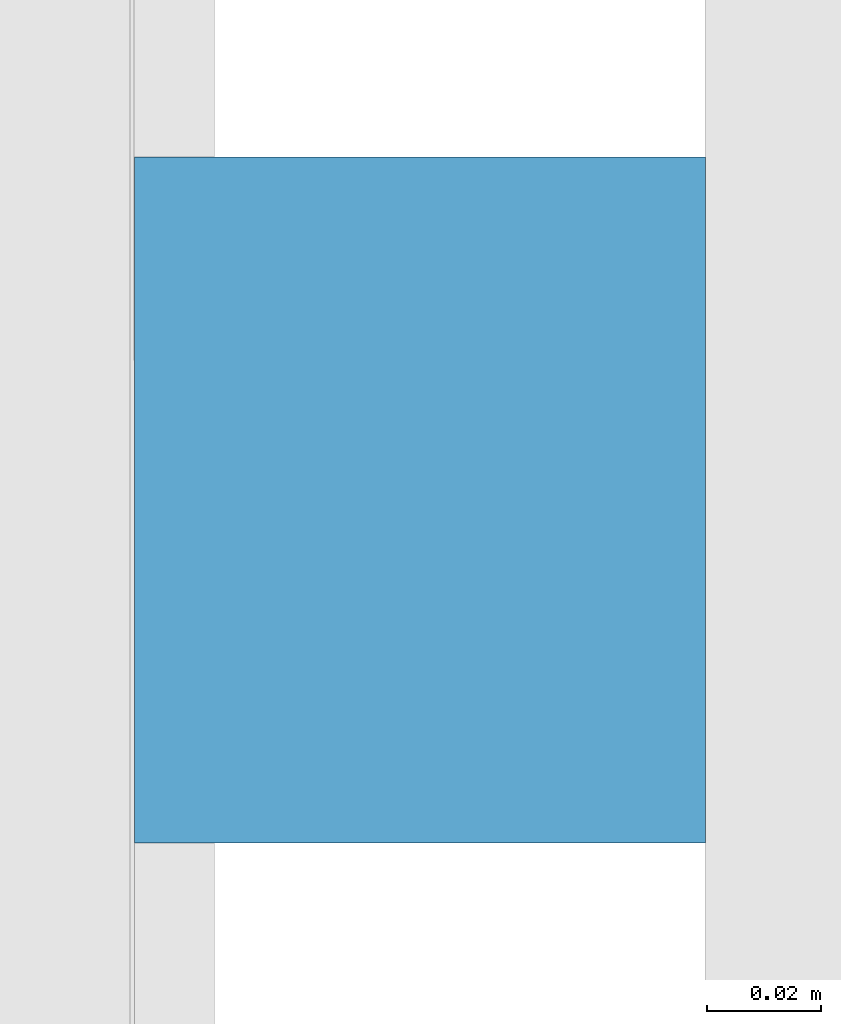
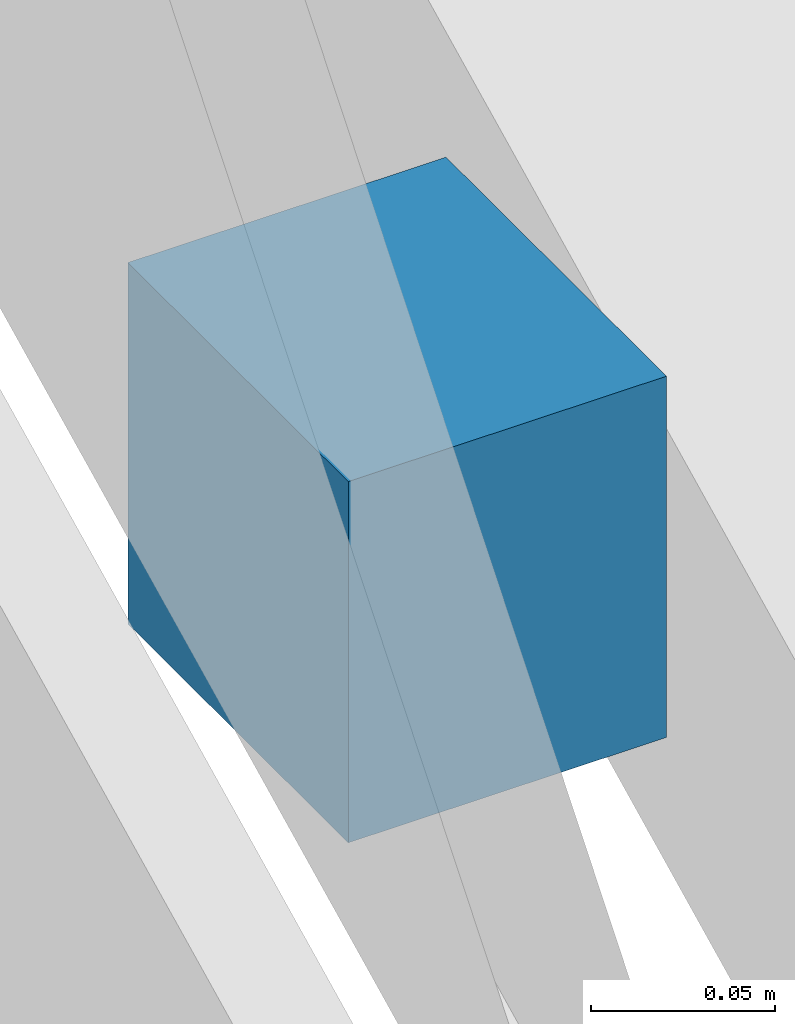
# One storey, part 21 of 22: 1 discrete accessory.
"""IFC4 building model written with IfcOpenShell, lengths in metres."""

from ifc_helpers import new_model, si_unit, direction, frame, origin, origin_2d, place, context, subcontext, project, spatial, rectangle, extrude, material, type_object, element, save


model = new_model("IFC4")

# Units and contexts
model_context = context("Model", 3, precision=1e-05, world=origin(), true_north=direction((0.0, 1.0)))
body_context = subcontext(model_context, "Body", "Model", "MODEL_VIEW")
ifc_project = project(units=[si_unit("LENGTHUNIT", "METRE"), si_unit("AREAUNIT", "SQUARE_METRE"), si_unit("VOLUMEUNIT", "CUBIC_METRE"), si_unit("PLANEANGLEUNIT", "RADIAN"), si_unit("MASSUNIT", "GRAM", prefix="KILO")], contexts=[model_context])

# Site, building, storey
site_placement = place(None, origin())
site = spatial("IfcSite", under=ifc_project, at=site_placement, CompositionType="ELEMENT")
building_placement = place(site_placement, origin())
building = spatial("IfcBuilding", under=site, at=building_placement, Name="Crosswind Convention Tower", CompositionType="ELEMENT")
storey_placement = place(building_placement, frame((0.0, 0.0, 137.89990234375)))
storey = spatial("IfcBuildingStorey", under=building, at=storey_placement, Name="L28", CompositionType="ELEMENT", Elevation=137.89990234375)

# Discrete accessory
ifc_material = material(Name="Stainless steel", Category="steel")
discrete_accessory_type = type_object("IfcDiscreteAccessoryType", Name="BAGUETTE BRACKET BK3", PredefinedType="BRACKET", material=ifc_material)
discrete_accessory_placement = place(storey_placement, frame((161.72607421875, 91.767578125, 1.705078125), z_axis=(0.0, 0.0, 1.0), x_axis=(0.0, 1.0, 0.0)))
element("IfcDiscreteAccessory", 1, at=discrete_accessory_placement, inside=storey, type_object=discrete_accessory_type, Name="BK3 baguette bracket", PredefinedType="BRACKET", context=body_context, shape_type="SweptSolid", body=[
    extrude(rectangle(XDim=0.1201171875, YDim=0.10009765625, at=origin_2d()), origin(), (0.0, 0.0, 1.0), 0.1201171875),
])

save(model, "model.ifc")
